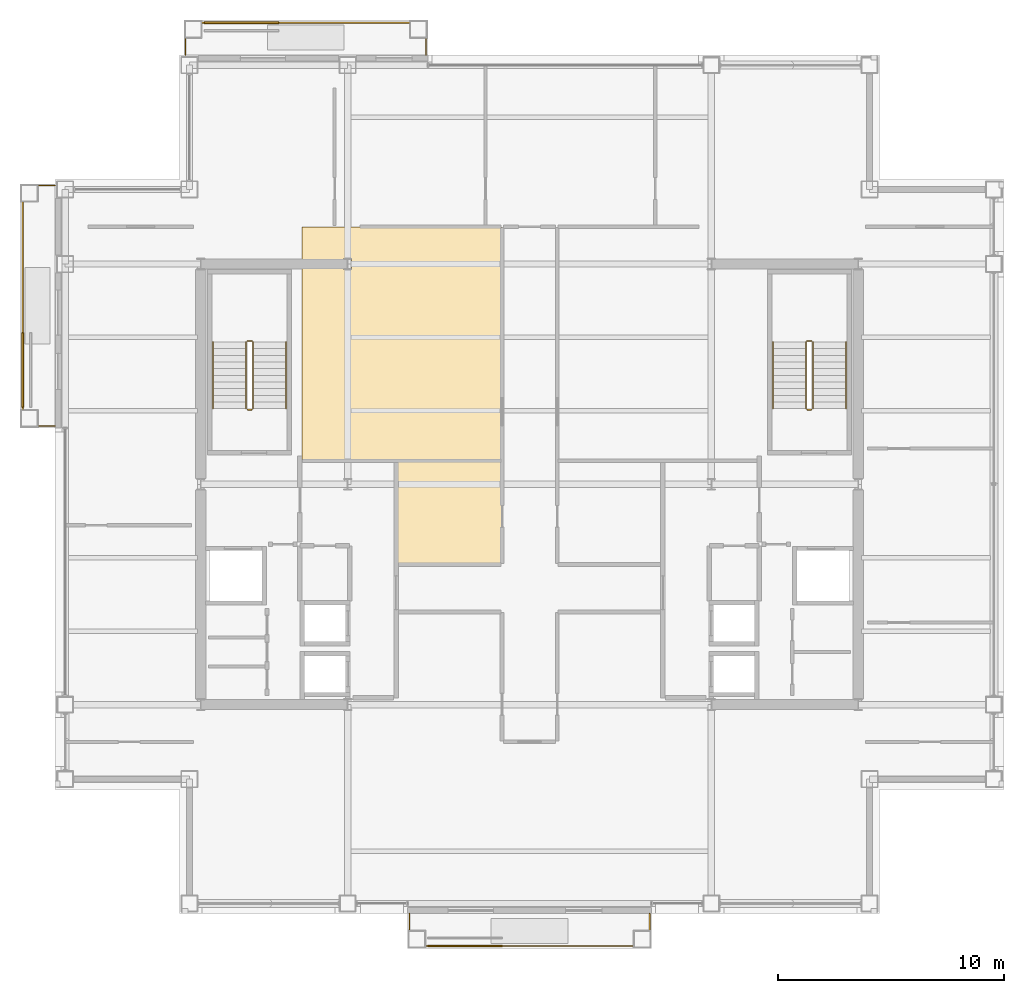
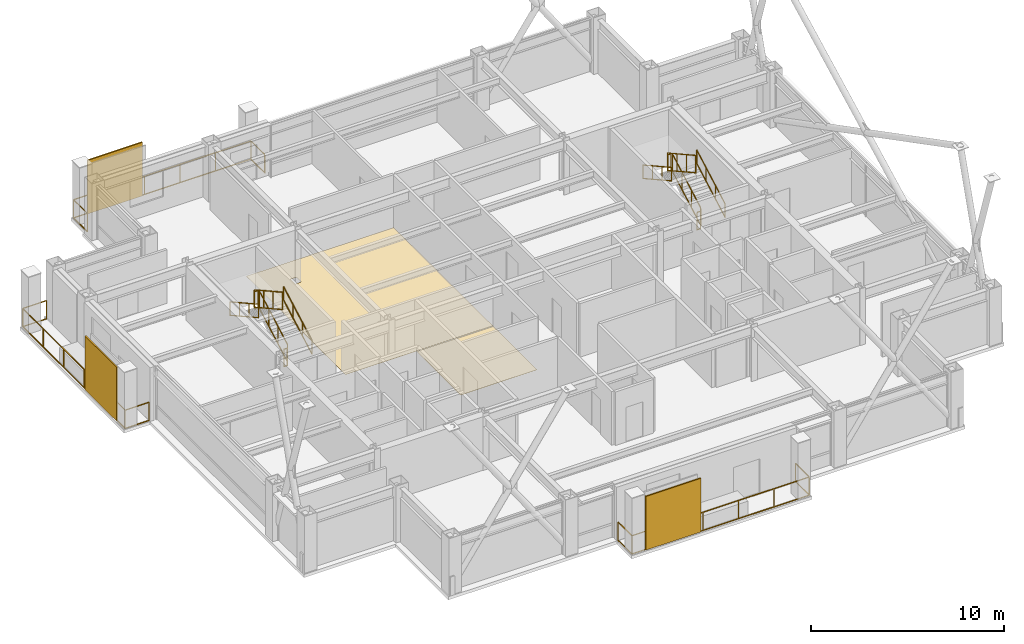
# One storey, part 29 of 30: 15 railings, 3 shading devices, 2 coverings.
"""IFC4 building model written with IfcOpenShell, lengths in metres."""

from ifc_helpers import new_model, si_unit, direction, frame, origin, origin_2d, place, context, subcontext, project, spatial, polyline, rectangle, outline, extrude, material, layer, layer_set, type_object, element, save


model = new_model("IFC4")

# Units and contexts
model_context = context("Model", 3, precision=1e-05, world=origin(), true_north=direction((0.0, 1.0)))
body_context = subcontext(model_context, "Body", "Model", "MODEL_VIEW")
ifc_project = project(units=[si_unit("LENGTHUNIT", "METRE"), si_unit("AREAUNIT", "SQUARE_METRE"), si_unit("VOLUMEUNIT", "CUBIC_METRE"), si_unit("PLANEANGLEUNIT", "RADIAN"), si_unit("MASSUNIT", "GRAM", prefix="KILO")], contexts=[model_context])

# Site, building, storey
site_placement = place(None, origin())
site = spatial("IfcSite", under=ifc_project, at=site_placement, CompositionType="ELEMENT")
building_placement = place(site_placement, origin())
building = spatial("IfcBuilding", under=site, at=building_placement, Name="Brelmoor Portico Tower", CompositionType="ELEMENT")
storey_placement = place(building_placement, frame((0.0, 0.0, 173.10009765625)))
storey = spatial("IfcBuildingStorey", under=building, at=storey_placement, Name="L45", CompositionType="ELEMENT", Elevation=173.10009765625)

# Coverings
ifc_material_1 = material(Name="Solution-Dyed Nylon Acoustic Carpet Tile", Category="textile")
ifc_layer_1 = layer(ifc_material_1, 0.013916015625)
ifc_layer_set_1 = layer_set([ifc_layer_1], Name="Solution-Dyed Nylon Acoustic Carpet Tile")
covering_type_1 = type_object("IfcCoveringType", Name="CV-FLR-CARPET-14", PredefinedType="FLOORING", material=ifc_layer_set_1)
covering_1_placement = place(storey_placement, origin())
element("IfcCovering", 1, at=covering_1_placement, inside=storey, type_object=covering_type_1, Name="L45 Architectural Floor Finish 01", PredefinedType="FLOORING", context=body_context, shape_type="SweptSolid", body=[
    extrude(outline(polyline([(-10.080078125, 11.3798828125), (-1.239990234375, 11.3798828125), (-1.239990234375, 1.090087890625), (-10.080078125, 1.090087890625), (-10.080078125, 11.3798828125)]), holes=[polyline([(-7.875, 9.5), (-7.875, 10.0), (-8.22509765625, 10.0), (-8.22509765625, 9.5), (-7.875, 9.5)])]), origin(), (0.0, 0.0, 1.0), 0.013916015625),
])
ifc_material_2 = material(Name="Rectified Vitrified Porcelain Floor Tile", Category="ceramic")
ifc_layer_2 = layer(ifc_material_2, 0.01806640625)
ifc_layer_set_2 = layer_set([ifc_layer_2], Name="Rectified Vitrified Porcelain Floor Tile")
covering_type_2 = type_object("IfcCoveringType", Name="CV-FLR-PORCELAIN-18", PredefinedType="FLOORING", material=ifc_layer_set_2)
covering_2_placement = place(storey_placement, origin())
element("IfcCovering", 2, at=covering_2_placement, inside=storey, type_object=covering_type_2, Name="L45 Architectural Floor Finish 02", PredefinedType="FLOORING", context=body_context, shape_type="SweptSolid", body=[
    extrude(outline(polyline([(-5.820068359375, -3.510009765625), (-5.820068359375, 1.0400390625), (-1.239990234375, 1.0400390625), (-1.239990234375, -3.510009765625), (-5.820068359375, -3.510009765625)])), origin(), (0.0, 0.0, 1.0), 0.017822265625),
])

# Railings
ifc_material_3 = material(Name="Perforated Pale Champagne Aluminium Fretwork Guard", Category="aluminium")
railing_type_1 = type_object("IfcRailingType", Name="RL-BALUSTRADE-1200", PredefinedType="BALUSTRADE", material=ifc_material_3)
railing_1_placement = place(storey_placement, frame((-5.320068359375, -19.0, 0.0)))
element("IfcRailing", 3, at=railing_1_placement, inside=storey, type_object=railing_type_1, Name="L45 Tree Balcony Fretwork Balustrade S", PredefinedType="BALUSTRADE", context=body_context, shape_type="SweptSolid", body=[
    extrude(rectangle(XDim=0.048095703125, YDim=0.048095703125, at=origin_2d()), frame((0.0, 0.0, 1.17578125), z_axis=(0.0, -1.0, 0.0), x_axis=(1.0, 0.0, 0.0)), (0.0, 0.0, 1.0), 1.429931640625),
    extrude(rectangle(XDim=0.048095703125, YDim=0.048095703125, at=origin_2d()), frame((0.0, 0.0, 0.02392578125), z_axis=(0.0, -1.0, 0.0), x_axis=(1.0, 0.0, 0.0)), (0.0, 0.0, 1.0), 1.429931640625),
    extrude(rectangle(XDim=0.048095703125, YDim=0.048095703125, at=origin_2d()), frame((0.0, -1.429931640625, 1.17578125), z_axis=(1.0, 0.0, 0.0), x_axis=(0.0, 1.0, 0.0)), (0.0, 0.0, 1.0), 10.64013671875),
    extrude(rectangle(XDim=0.048095703125, YDim=0.048095703125, at=origin_2d()), frame((0.0, -1.429931640625, 0.02392578125), z_axis=(1.0, 0.0, 0.0), x_axis=(0.0, 1.0, 0.0)), (0.0, 0.0, 1.0), 10.64013671875),
    extrude(rectangle(XDim=0.048095703125, YDim=0.048095703125, at=origin_2d()), frame((10.64013671875, -1.429931640625, 1.17578125), z_axis=(0.0, 1.0, 0.0), x_axis=(-1.0, 0.0, 0.0)), (0.0, 0.0, 1.0), 1.429931640625),
    extrude(rectangle(XDim=0.048095703125, YDim=0.048095703125, at=origin_2d()), frame((10.64013671875, -1.429931640625, 0.02392578125), z_axis=(0.0, 1.0, 0.0), x_axis=(-1.0, 0.0, 0.0)), (0.0, 0.0, 1.0), 1.429931640625),
    extrude(rectangle(XDim=0.0419921875, YDim=0.0419921875, at=origin_2d()), origin(), (0.0, 0.0, 1.0), 1.15185546875),
    extrude(rectangle(XDim=0.0419921875, YDim=0.0419921875, at=origin_2d()), frame((0.0, -1.429931640625, 0.0)), (0.0, 0.0, 1.0), 1.15185546875),
    extrude(rectangle(XDim=0.0419921875, YDim=0.0419921875, at=origin_2d()), frame((2.1279296875, -1.429931640625, 0.0)), (0.0, 0.0, 1.0), 1.15185546875),
    extrude(rectangle(XDim=0.0419921875, YDim=0.0419921875, at=origin_2d()), frame((4.256103515625, -1.429931640625, 0.0)), (0.0, 0.0, 1.0), 1.15185546875),
    extrude(rectangle(XDim=0.0419921875, YDim=0.0419921875, at=origin_2d()), frame((6.384033203125, -1.429931640625, 0.0)), (0.0, 0.0, 1.0), 1.15185546875),
    extrude(rectangle(XDim=0.0419921875, YDim=0.0419921875, at=origin_2d()), frame((8.51220703125, -1.429931640625, 0.0)), (0.0, 0.0, 1.0), 1.15185546875),
    extrude(rectangle(XDim=0.0419921875, YDim=0.0419921875, at=origin_2d()), frame((10.64013671875, -1.429931640625, 0.0)), (0.0, 0.0, 1.0), 1.15185546875),
    extrude(rectangle(XDim=0.0419921875, YDim=0.0419921875, at=origin_2d()), frame((10.64013671875, 0.0, 0.0)), (0.0, 0.0, 1.0), 1.15185546875),
])
railing_2_placement = place(storey_placement, frame((-15.219970703125, 19.0, 0.0)))
element("IfcRailing", 4, at=railing_2_placement, inside=storey, type_object=railing_type_1, Name="L45 Tree Balcony Fretwork Balustrade N", PredefinedType="BALUSTRADE", context=body_context, shape_type="SweptSolid", body=[
    extrude(rectangle(XDim=0.048095703125, YDim=0.048095703125, at=origin_2d()), frame((0.0, 0.0, 1.17578125), z_axis=(0.0, 1.0, 0.0), x_axis=(-1.0, 0.0, 0.0)), (0.0, 0.0, 1.0), 1.429931640625),
    extrude(rectangle(XDim=0.048095703125, YDim=0.048095703125, at=origin_2d()), frame((0.0, 0.0, 0.02392578125), z_axis=(0.0, 1.0, 0.0), x_axis=(-1.0, 0.0, 0.0)), (0.0, 0.0, 1.0), 1.429931640625),
    extrude(rectangle(XDim=0.048095703125, YDim=0.048095703125, at=origin_2d()), frame((0.0, 1.429931640625, 1.17578125), z_axis=(1.0, 0.0, 0.0), x_axis=(0.0, 1.0, 0.0)), (0.0, 0.0, 1.0), 10.639892578125),
    extrude(rectangle(XDim=0.048095703125, YDim=0.048095703125, at=origin_2d()), frame((0.0, 1.429931640625, 0.02392578125), z_axis=(1.0, 0.0, 0.0), x_axis=(0.0, 1.0, 0.0)), (0.0, 0.0, 1.0), 10.639892578125),
    extrude(rectangle(XDim=0.048095703125, YDim=0.048095703125, at=origin_2d()), frame((10.639892578125, 1.429931640625, 1.17578125), z_axis=(0.0, -1.0, 0.0), x_axis=(1.0, 0.0, 0.0)), (0.0, 0.0, 1.0), 1.429931640625),
    extrude(rectangle(XDim=0.048095703125, YDim=0.048095703125, at=origin_2d()), frame((10.639892578125, 1.429931640625, 0.02392578125), z_axis=(0.0, -1.0, 0.0), x_axis=(1.0, 0.0, 0.0)), (0.0, 0.0, 1.0), 1.429931640625),
    extrude(rectangle(XDim=0.0419921875, YDim=0.0419921875, at=origin_2d()), origin(), (0.0, 0.0, 1.0), 1.15185546875),
    extrude(rectangle(XDim=0.0419921875, YDim=0.0419921875, at=origin_2d()), frame((0.0, 1.429931640625, 0.0)), (0.0, 0.0, 1.0), 1.15185546875),
    extrude(rectangle(XDim=0.0419921875, YDim=0.0419921875, at=origin_2d()), frame((2.1279296875, 1.429931640625, 0.0)), (0.0, 0.0, 1.0), 1.15185546875),
    extrude(rectangle(XDim=0.0419921875, YDim=0.0419921875, at=origin_2d()), frame((4.255859375, 1.429931640625, 0.0)), (0.0, 0.0, 1.0), 1.15185546875),
    extrude(rectangle(XDim=0.0419921875, YDim=0.0419921875, at=origin_2d()), frame((6.384033203125, 1.429931640625, 0.0)), (0.0, 0.0, 1.0), 1.15185546875),
    extrude(rectangle(XDim=0.0419921875, YDim=0.0419921875, at=origin_2d()), frame((8.511962890625, 1.429931640625, 0.0)), (0.0, 0.0, 1.0), 1.15185546875),
    extrude(rectangle(XDim=0.0419921875, YDim=0.0419921875, at=origin_2d()), frame((10.639892578125, 1.429931640625, 0.0)), (0.0, 0.0, 1.0), 1.15185546875),
    extrude(rectangle(XDim=0.0419921875, YDim=0.0419921875, at=origin_2d()), frame((10.639892578125, 0.0, 0.0)), (0.0, 0.0, 1.0), 1.15185546875),
])
railing_3_placement = place(storey_placement, frame((-21.0, 2.580078125, 0.0)))
element("IfcRailing", 5, at=railing_3_placement, inside=storey, type_object=railing_type_1, Name="L45 Tree Balcony Fretwork Balustrade W", PredefinedType="BALUSTRADE", context=body_context, shape_type="SweptSolid", body=[
    extrude(rectangle(XDim=0.048095703125, YDim=0.048095703125, at=origin_2d()), frame((0.0, 0.0, 1.17578125), z_axis=(-1.0, 0.0, 0.0), x_axis=(0.0, -1.0, 0.0)), (0.0, 0.0, 1.0), 1.429931640625),
    extrude(rectangle(XDim=0.048095703125, YDim=0.048095703125, at=origin_2d()), frame((0.0, 0.0, 0.02392578125), z_axis=(-1.0, 0.0, 0.0), x_axis=(0.0, -1.0, 0.0)), (0.0, 0.0, 1.0), 1.429931640625),
    extrude(rectangle(XDim=0.048095703125, YDim=0.048095703125, at=origin_2d()), frame((-1.429931640625, 0.0, 1.17578125), z_axis=(0.0, 1.0, 0.0), x_axis=(-1.0, 0.0, 0.0)), (0.0, 0.0, 1.0), 10.639892578125),
    extrude(rectangle(XDim=0.048095703125, YDim=0.048095703125, at=origin_2d()), frame((-1.429931640625, 0.0, 0.02392578125), z_axis=(0.0, 1.0, 0.0), x_axis=(-1.0, 0.0, 0.0)), (0.0, 0.0, 1.0), 10.639892578125),
    extrude(rectangle(XDim=0.048095703125, YDim=0.048095703125, at=origin_2d()), frame((-1.429931640625, 10.639892578125, 1.17578125), z_axis=(1.0, 0.0, 0.0), x_axis=(0.0, 1.0, 0.0)), (0.0, 0.0, 1.0), 1.429931640625),
    extrude(rectangle(XDim=0.048095703125, YDim=0.048095703125, at=origin_2d()), frame((-1.429931640625, 10.639892578125, 0.02392578125), z_axis=(1.0, 0.0, 0.0), x_axis=(0.0, 1.0, 0.0)), (0.0, 0.0, 1.0), 1.429931640625),
    extrude(rectangle(XDim=0.0419921875, YDim=0.0419921875, at=origin_2d()), origin(), (0.0, 0.0, 1.0), 1.15185546875),
    extrude(rectangle(XDim=0.0419921875, YDim=0.0419921875, at=origin_2d()), frame((-1.429931640625, 0.0, 0.0)), (0.0, 0.0, 1.0), 1.15185546875),
    extrude(rectangle(XDim=0.0419921875, YDim=0.0419921875, at=origin_2d()), frame((-1.429931640625, 2.1279296875, 0.0)), (0.0, 0.0, 1.0), 1.15185546875),
    extrude(rectangle(XDim=0.0419921875, YDim=0.0419921875, at=origin_2d()), frame((-1.429931640625, 4.255859375, 0.0)), (0.0, 0.0, 1.0), 1.15185546875),
    extrude(rectangle(XDim=0.0419921875, YDim=0.0419921875, at=origin_2d()), frame((-1.429931640625, 6.384033203125, 0.0)), (0.0, 0.0, 1.0), 1.15185546875),
    extrude(rectangle(XDim=0.0419921875, YDim=0.0419921875, at=origin_2d()), frame((-1.429931640625, 8.511962890625, 0.0)), (0.0, 0.0, 1.0), 1.15185546875),
    extrude(rectangle(XDim=0.0419921875, YDim=0.0419921875, at=origin_2d()), frame((-1.429931640625, 10.639892578125, 0.0)), (0.0, 0.0, 1.0), 1.15185546875),
    extrude(rectangle(XDim=0.0419921875, YDim=0.0419921875, at=origin_2d()), frame((0.0, 10.639892578125, 0.0)), (0.0, 0.0, 1.0), 1.15185546875),
])
ifc_material_4 = material(Name="Painted Tubular Steel Q235B", Category="steel")
railing_type_2 = type_object("IfcRailingType", Name="RL-STAIR-GUARD", PredefinedType="GUARDRAIL", material=ifc_material_4)
railing_4_placement = place(storey_placement, frame((-12.239990234375, 3.35009765625, 0.16357421875)))
element("IfcRailing", 6, at=railing_4_placement, inside=storey, type_object=railing_type_2, Name="L45 ST-W stair guard 1", PredefinedType="GUARDRAIL", context=body_context, shape_type="SweptSolid", body=[
    extrude(rectangle(XDim=0.048095703125, YDim=0.048095703125, at=origin_2d()), frame((0.0, 0.0, 1.1259765625), z_axis=(0.0, 0.87448821551, 0.485046761595), x_axis=(-1.0, 0.0, 0.0)), (0.0, 0.0, 1.0), 3.373291015625),
    extrude(rectangle(XDim=0.048095703125, YDim=0.048095703125, at=origin_2d()), frame((0.0, 0.0, 0.02392578125), z_axis=(0.0, 0.87448821551, 0.485046761595), x_axis=(-1.0, 0.0, 0.0)), (0.0, 0.0, 1.0), 3.373291015625),
    extrude(rectangle(XDim=0.0419921875, YDim=0.0419921875, at=origin_2d()), origin(), (0.0, 0.0, 1.0), 1.101806640625),
    extrude(rectangle(XDim=0.0419921875, YDim=0.0419921875, at=origin_2d()), frame((0.0, 0.9833984375, 0.54541015625)), (0.0, 0.0, 1.0), 1.101806640625),
    extrude(rectangle(XDim=0.0419921875, YDim=0.0419921875, at=origin_2d()), frame((0.0, 1.966552734375, 1.0908203125)), (0.0, 0.0, 1.0), 1.101806640625),
    extrude(rectangle(XDim=0.0419921875, YDim=0.0419921875, at=origin_2d()), frame((0.0, 2.949951171875, 1.63623046875)), (0.0, 0.0, 1.0), 1.101806640625),
])
railing_5_placement = place(storey_placement, frame((-12.2900390625, 6.35009765625, 1.7998046875)))
element("IfcRailing", 7, at=railing_5_placement, inside=storey, type_object=railing_type_2, Name="L45 ST-W stair guard 2", PredefinedType="GUARDRAIL", context=body_context, shape_type="SweptSolid", body=[
    extrude(rectangle(XDim=0.048095703125, YDim=0.048095703125, at=origin_2d()), frame((0.0, 0.0, 1.1259765625), z_axis=(-1.0, 0.0, 0.0), x_axis=(0.0, -1.0, 0.0)), (0.0, 0.0, 1.0), 0.199951171875),
    extrude(rectangle(XDim=0.048095703125, YDim=0.048095703125, at=origin_2d()), frame((0.0, 0.0, 0.02392578125), z_axis=(-1.0, 0.0, 0.0), x_axis=(0.0, -1.0, 0.0)), (0.0, 0.0, 1.0), 0.199951171875),
    extrude(rectangle(XDim=0.0419921875, YDim=0.0419921875, at=origin_2d()), origin(), (0.0, 0.0, 1.0), 1.101806640625),
    extrude(rectangle(XDim=0.0419921875, YDim=0.0419921875, at=origin_2d()), frame((-0.199951171875, 0.0, 0.0)), (0.0, 0.0, 1.0), 1.101806640625),
])
railing_6_placement = place(storey_placement, frame((-12.5400390625, 6.300048828125, 1.963623046875)))
element("IfcRailing", 8, at=railing_6_placement, inside=storey, type_object=railing_type_2, Name="L45 ST-W stair guard 3", PredefinedType="GUARDRAIL", context=body_context, shape_type="SweptSolid", body=[
    extrude(rectangle(XDim=0.048095703125, YDim=0.048095703125, at=origin_2d()), frame((0.0, 0.0, 1.1259765625), z_axis=(0.0, -0.87448821551, 0.485046761595), x_axis=(1.0, 0.0, 0.0)), (0.0, 0.0, 1.0), 3.373291015625),
    extrude(rectangle(XDim=0.048095703125, YDim=0.048095703125, at=origin_2d()), frame((0.0, 0.0, 0.02392578125), z_axis=(0.0, -0.87448821551, 0.485046761595), x_axis=(1.0, 0.0, 0.0)), (0.0, 0.0, 1.0), 3.373291015625),
    extrude(rectangle(XDim=0.0419921875, YDim=0.0419921875, at=origin_2d()), origin(), (0.0, 0.0, 1.0), 1.101806640625),
    extrude(rectangle(XDim=0.0419921875, YDim=0.0419921875, at=origin_2d()), frame((0.0, -0.9833984375, 0.54541015625)), (0.0, 0.0, 1.0), 1.101806640625),
    extrude(rectangle(XDim=0.0419921875, YDim=0.0419921875, at=origin_2d()), frame((0.0, -1.966552734375, 1.0908203125)), (0.0, 0.0, 1.0), 1.101806640625),
    extrude(rectangle(XDim=0.0419921875, YDim=0.0419921875, at=origin_2d()), frame((0.0, -2.949951171875, 1.63623046875)), (0.0, 0.0, 1.0), 1.101806640625),
])
railing_7_placement = place(storey_placement, frame((-12.2900390625, 3.300048828125, 0.0)))
element("IfcRailing", 9, at=railing_7_placement, inside=storey, type_object=railing_type_2, Name="L45 ST-W stair guard 4", PredefinedType="GUARDRAIL", context=body_context, shape_type="SweptSolid", body=[
    extrude(rectangle(XDim=0.048095703125, YDim=0.048095703125, at=origin_2d()), frame((0.0, 0.0, 1.1259765625), z_axis=(-1.0, 0.0, 0.0), x_axis=(0.0, -1.0, 0.0)), (0.0, 0.0, 1.0), 0.199951171875),
    extrude(rectangle(XDim=0.048095703125, YDim=0.048095703125, at=origin_2d()), frame((0.0, 0.0, 0.02392578125), z_axis=(-1.0, 0.0, 0.0), x_axis=(0.0, -1.0, 0.0)), (0.0, 0.0, 1.0), 0.199951171875),
    extrude(rectangle(XDim=0.0419921875, YDim=0.0419921875, at=origin_2d()), origin(), (0.0, 0.0, 1.0), 1.101806640625),
    extrude(rectangle(XDim=0.0419921875, YDim=0.0419921875, at=origin_2d()), frame((-0.199951171875, 0.0, 0.0)), (0.0, 0.0, 1.0), 1.101806640625),
])
railing_8_placement = place(storey_placement, frame((12.5400390625, 3.35009765625, 0.16357421875)))
element("IfcRailing", 10, at=railing_8_placement, inside=storey, type_object=railing_type_2, Name="L45 ST-E stair guard 1", PredefinedType="GUARDRAIL", context=body_context, shape_type="SweptSolid", body=[
    extrude(rectangle(XDim=0.048095703125, YDim=0.048095703125, at=origin_2d()), frame((0.0, 0.0, 1.1259765625), z_axis=(0.0, 0.87448821551, 0.485046761595), x_axis=(-1.0, 0.0, 0.0)), (0.0, 0.0, 1.0), 3.373291015625),
    extrude(rectangle(XDim=0.048095703125, YDim=0.048095703125, at=origin_2d()), frame((0.0, 0.0, 0.02392578125), z_axis=(0.0, 0.87448821551, 0.485046761595), x_axis=(-1.0, 0.0, 0.0)), (0.0, 0.0, 1.0), 3.373291015625),
    extrude(rectangle(XDim=0.0419921875, YDim=0.0419921875, at=origin_2d()), origin(), (0.0, 0.0, 1.0), 1.101806640625),
    extrude(rectangle(XDim=0.0419921875, YDim=0.0419921875, at=origin_2d()), frame((0.0, 0.9833984375, 0.54541015625)), (0.0, 0.0, 1.0), 1.101806640625),
    extrude(rectangle(XDim=0.0419921875, YDim=0.0419921875, at=origin_2d()), frame((0.0, 1.966552734375, 1.0908203125)), (0.0, 0.0, 1.0), 1.101806640625),
    extrude(rectangle(XDim=0.0419921875, YDim=0.0419921875, at=origin_2d()), frame((0.0, 2.949951171875, 1.63623046875)), (0.0, 0.0, 1.0), 1.101806640625),
])
railing_9_placement = place(storey_placement, frame((12.489990234375, 6.35009765625, 1.7998046875)))
element("IfcRailing", 11, at=railing_9_placement, inside=storey, type_object=railing_type_2, Name="L45 ST-E stair guard 2", PredefinedType="GUARDRAIL", context=body_context, shape_type="SweptSolid", body=[
    extrude(rectangle(XDim=0.048095703125, YDim=0.048095703125, at=origin_2d()), frame((0.0, 0.0, 1.1259765625), z_axis=(-1.0, 0.0, 0.0), x_axis=(0.0, -1.0, 0.0)), (0.0, 0.0, 1.0), 0.199951171875),
    extrude(rectangle(XDim=0.048095703125, YDim=0.048095703125, at=origin_2d()), frame((0.0, 0.0, 0.02392578125), z_axis=(-1.0, 0.0, 0.0), x_axis=(0.0, -1.0, 0.0)), (0.0, 0.0, 1.0), 0.199951171875),
    extrude(rectangle(XDim=0.0419921875, YDim=0.0419921875, at=origin_2d()), origin(), (0.0, 0.0, 1.0), 1.101806640625),
    extrude(rectangle(XDim=0.0419921875, YDim=0.0419921875, at=origin_2d()), frame((-0.199951171875, 0.0, 0.0)), (0.0, 0.0, 1.0), 1.101806640625),
])
railing_10_placement = place(storey_placement, frame((12.239990234375, 6.300048828125, 1.963623046875)))
element("IfcRailing", 12, at=railing_10_placement, inside=storey, type_object=railing_type_2, Name="L45 ST-E stair guard 3", PredefinedType="GUARDRAIL", context=body_context, shape_type="SweptSolid", body=[
    extrude(rectangle(XDim=0.048095703125, YDim=0.048095703125, at=origin_2d()), frame((0.0, 0.0, 1.1259765625), z_axis=(0.0, -0.87448821551, 0.485046761595), x_axis=(1.0, 0.0, 0.0)), (0.0, 0.0, 1.0), 3.373291015625),
    extrude(rectangle(XDim=0.048095703125, YDim=0.048095703125, at=origin_2d()), frame((0.0, 0.0, 0.02392578125), z_axis=(0.0, -0.87448821551, 0.485046761595), x_axis=(1.0, 0.0, 0.0)), (0.0, 0.0, 1.0), 3.373291015625),
    extrude(rectangle(XDim=0.0419921875, YDim=0.0419921875, at=origin_2d()), origin(), (0.0, 0.0, 1.0), 1.101806640625),
    extrude(rectangle(XDim=0.0419921875, YDim=0.0419921875, at=origin_2d()), frame((0.0, -0.9833984375, 0.54541015625)), (0.0, 0.0, 1.0), 1.101806640625),
    extrude(rectangle(XDim=0.0419921875, YDim=0.0419921875, at=origin_2d()), frame((0.0, -1.966552734375, 1.0908203125)), (0.0, 0.0, 1.0), 1.101806640625),
    extrude(rectangle(XDim=0.0419921875, YDim=0.0419921875, at=origin_2d()), frame((0.0, -2.949951171875, 1.63623046875)), (0.0, 0.0, 1.0), 1.101806640625),
])
railing_11_placement = place(storey_placement, frame((12.489990234375, 3.300048828125, 0.0)))
element("IfcRailing", 13, at=railing_11_placement, inside=storey, type_object=railing_type_2, Name="L45 ST-E stair guard 4", PredefinedType="GUARDRAIL", context=body_context, shape_type="SweptSolid", body=[
    extrude(rectangle(XDim=0.048095703125, YDim=0.048095703125, at=origin_2d()), frame((0.0, 0.0, 1.1259765625), z_axis=(-1.0, 0.0, 0.0), x_axis=(0.0, -1.0, 0.0)), (0.0, 0.0, 1.0), 0.199951171875),
    extrude(rectangle(XDim=0.048095703125, YDim=0.048095703125, at=origin_2d()), frame((0.0, 0.0, 0.02392578125), z_axis=(-1.0, 0.0, 0.0), x_axis=(0.0, -1.0, 0.0)), (0.0, 0.0, 1.0), 0.199951171875),
    extrude(rectangle(XDim=0.0419921875, YDim=0.0419921875, at=origin_2d()), origin(), (0.0, 0.0, 1.0), 1.101806640625),
    extrude(rectangle(XDim=0.0419921875, YDim=0.0419921875, at=origin_2d()), frame((-0.199951171875, 0.0, 0.0)), (0.0, 0.0, 1.0), 1.101806640625),
])
ifc_material_5 = material(Name="Brushed Stainless Steel 304", Category="steel")
railing_type_3 = type_object("IfcRailingType", Name="RL-STAIR-HANDRAIL", PredefinedType="HANDRAIL", material=ifc_material_5)
railing_12_placement = place(storey_placement, frame((-10.780029296875, 3.35009765625, 0.16357421875)))
element("IfcRailing", 14, at=railing_12_placement, inside=storey, type_object=railing_type_3, Name="L45 ST-W stair handrail 1", PredefinedType="HANDRAIL", context=body_context, shape_type="SweptSolid", body=[
    extrude(rectangle(XDim=0.048095703125, YDim=0.048095703125, at=origin_2d()), frame((0.0, 0.0, 0.8759765625), z_axis=(0.0, 0.87448821551, 0.485046761595), x_axis=(-1.0, 0.0, 0.0)), (0.0, 0.0, 1.0), 3.373291015625),
    extrude(rectangle(XDim=0.048095703125, YDim=0.048095703125, at=origin_2d()), frame((0.0, 0.0, 0.02392578125), z_axis=(0.0, 0.87448821551, 0.485046761595), x_axis=(-1.0, 0.0, 0.0)), (0.0, 0.0, 1.0), 3.373291015625),
    extrude(rectangle(XDim=0.0419921875, YDim=0.0419921875, at=origin_2d()), origin(), (0.0, 0.0, 1.0), 0.851806640625),
    extrude(rectangle(XDim=0.0419921875, YDim=0.0419921875, at=origin_2d()), frame((0.0, 0.9833984375, 0.54541015625)), (0.0, 0.0, 1.0), 0.851806640625),
    extrude(rectangle(XDim=0.0419921875, YDim=0.0419921875, at=origin_2d()), frame((0.0, 1.966552734375, 1.0908203125)), (0.0, 0.0, 1.0), 0.851806640625),
    extrude(rectangle(XDim=0.0419921875, YDim=0.0419921875, at=origin_2d()), frame((0.0, 2.949951171875, 1.63623046875)), (0.0, 0.0, 1.0), 0.851806640625),
])
railing_13_placement = place(storey_placement, frame((-14.0, 6.300048828125, 1.963623046875)))
element("IfcRailing", 15, at=railing_13_placement, inside=storey, type_object=railing_type_3, Name="L45 ST-W stair handrail 2", PredefinedType="HANDRAIL", context=body_context, shape_type="SweptSolid", body=[
    extrude(rectangle(XDim=0.048095703125, YDim=0.048095703125, at=origin_2d()), frame((0.0, 0.0, 0.8759765625), z_axis=(0.0, -0.87448821551, 0.485046761595), x_axis=(1.0, 0.0, 0.0)), (0.0, 0.0, 1.0), 3.373291015625),
    extrude(rectangle(XDim=0.048095703125, YDim=0.048095703125, at=origin_2d()), frame((0.0, 0.0, 0.02392578125), z_axis=(0.0, -0.87448821551, 0.485046761595), x_axis=(1.0, 0.0, 0.0)), (0.0, 0.0, 1.0), 3.373291015625),
    extrude(rectangle(XDim=0.0419921875, YDim=0.0419921875, at=origin_2d()), origin(), (0.0, 0.0, 1.0), 0.851806640625),
    extrude(rectangle(XDim=0.0419921875, YDim=0.0419921875, at=origin_2d()), frame((0.0, -0.9833984375, 0.54541015625)), (0.0, 0.0, 1.0), 0.851806640625),
    extrude(rectangle(XDim=0.0419921875, YDim=0.0419921875, at=origin_2d()), frame((0.0, -1.966552734375, 1.0908203125)), (0.0, 0.0, 1.0), 0.851806640625),
    extrude(rectangle(XDim=0.0419921875, YDim=0.0419921875, at=origin_2d()), frame((0.0, -2.949951171875, 1.63623046875)), (0.0, 0.0, 1.0), 0.851806640625),
])
railing_14_placement = place(storey_placement, frame((14.0, 3.35009765625, 0.16357421875)))
element("IfcRailing", 16, at=railing_14_placement, inside=storey, type_object=railing_type_3, Name="L45 ST-E stair handrail 1", PredefinedType="HANDRAIL", context=body_context, shape_type="SweptSolid", body=[
    extrude(rectangle(XDim=0.048095703125, YDim=0.048095703125, at=origin_2d()), frame((0.0, 0.0, 0.8759765625), z_axis=(0.0, 0.87448821551, 0.485046761595), x_axis=(-1.0, 0.0, 0.0)), (0.0, 0.0, 1.0), 3.373291015625),
    extrude(rectangle(XDim=0.048095703125, YDim=0.048095703125, at=origin_2d()), frame((0.0, 0.0, 0.02392578125), z_axis=(0.0, 0.87448821551, 0.485046761595), x_axis=(-1.0, 0.0, 0.0)), (0.0, 0.0, 1.0), 3.373291015625),
    extrude(rectangle(XDim=0.0419921875, YDim=0.0419921875, at=origin_2d()), origin(), (0.0, 0.0, 1.0), 0.851806640625),
    extrude(rectangle(XDim=0.0419921875, YDim=0.0419921875, at=origin_2d()), frame((0.0, 0.9833984375, 0.54541015625)), (0.0, 0.0, 1.0), 0.851806640625),
    extrude(rectangle(XDim=0.0419921875, YDim=0.0419921875, at=origin_2d()), frame((0.0, 1.966552734375, 1.0908203125)), (0.0, 0.0, 1.0), 0.851806640625),
    extrude(rectangle(XDim=0.0419921875, YDim=0.0419921875, at=origin_2d()), frame((0.0, 2.949951171875, 1.63623046875)), (0.0, 0.0, 1.0), 0.851806640625),
])
railing_15_placement = place(storey_placement, frame((10.780029296875, 6.300048828125, 1.963623046875)))
element("IfcRailing", 17, at=railing_15_placement, inside=storey, type_object=railing_type_3, Name="L45 ST-E stair handrail 2", PredefinedType="HANDRAIL", context=body_context, shape_type="SweptSolid", body=[
    extrude(rectangle(XDim=0.048095703125, YDim=0.048095703125, at=origin_2d()), frame((0.0, 0.0, 0.8759765625), z_axis=(0.0, -0.87448821551, 0.485046761595), x_axis=(1.0, 0.0, 0.0)), (0.0, 0.0, 1.0), 3.373291015625),
    extrude(rectangle(XDim=0.048095703125, YDim=0.048095703125, at=origin_2d()), frame((0.0, 0.0, 0.02392578125), z_axis=(0.0, -0.87448821551, 0.485046761595), x_axis=(1.0, 0.0, 0.0)), (0.0, 0.0, 1.0), 3.373291015625),
    extrude(rectangle(XDim=0.0419921875, YDim=0.0419921875, at=origin_2d()), origin(), (0.0, 0.0, 1.0), 0.851806640625),
    extrude(rectangle(XDim=0.0419921875, YDim=0.0419921875, at=origin_2d()), frame((0.0, -0.9833984375, 0.54541015625)), (0.0, 0.0, 1.0), 0.851806640625),
    extrude(rectangle(XDim=0.0419921875, YDim=0.0419921875, at=origin_2d()), frame((0.0, -1.966552734375, 1.0908203125)), (0.0, 0.0, 1.0), 0.851806640625),
    extrude(rectangle(XDim=0.0419921875, YDim=0.0419921875, at=origin_2d()), frame((0.0, -2.949951171875, 1.63623046875)), (0.0, 0.0, 1.0), 0.851806640625),
])

# Shading devices
ifc_material_6 = material(Name="Powder-Coated Aluminium Shuttered Jalousie", Category="aluminium")
ifc_layer_3 = layer(ifc_material_6, 0.080078125)
ifc_layer_set_3 = layer_set([ifc_layer_3], Name="Powder-Coated Aluminium Shuttered Jalousie")
shading_device_type = type_object("IfcShadingDeviceType", Name="SD-JALOUSIE-LOGGIA", PredefinedType="JALOUSIE", material=ifc_layer_set_3)
for number, where, z_axis, x_axis, name in (
    (18, (-2.85009765625, -20.429931640625, 0.0), (0.0, 0.0, 1.0), (1.0, 0.0, 0.0), "L45 Loggia Shuttered Jalousie S"),
    (19, (-12.75, 20.429931640625, 0.0), (0.0, 0.0, 1.0), (1.0, 0.0, 0.0), "L45 Loggia Shuttered Jalousie N"),
    (20, (-22.429931640625, 5.050048828125, 0.0), (0.0, 0.0, 1.0), (0.0, 1.0, 0.0), "L45 Loggia Shuttered Jalousie W"),
):
    element("IfcShadingDevice", number, at=place(storey_placement, frame(where, z_axis=z_axis, x_axis=x_axis)), inside=storey, type_object=shading_device_type, Name=name, PredefinedType="JALOUSIE", context=body_context, shape_type="SweptSolid", body=[
        extrude(rectangle(XDim=3.300048828125, YDim=0.080078125, at=origin_2d()), origin(), (0.0, 0.0, 1.0), 3.39990234375),
    ])

save(model, "model.ifc")
